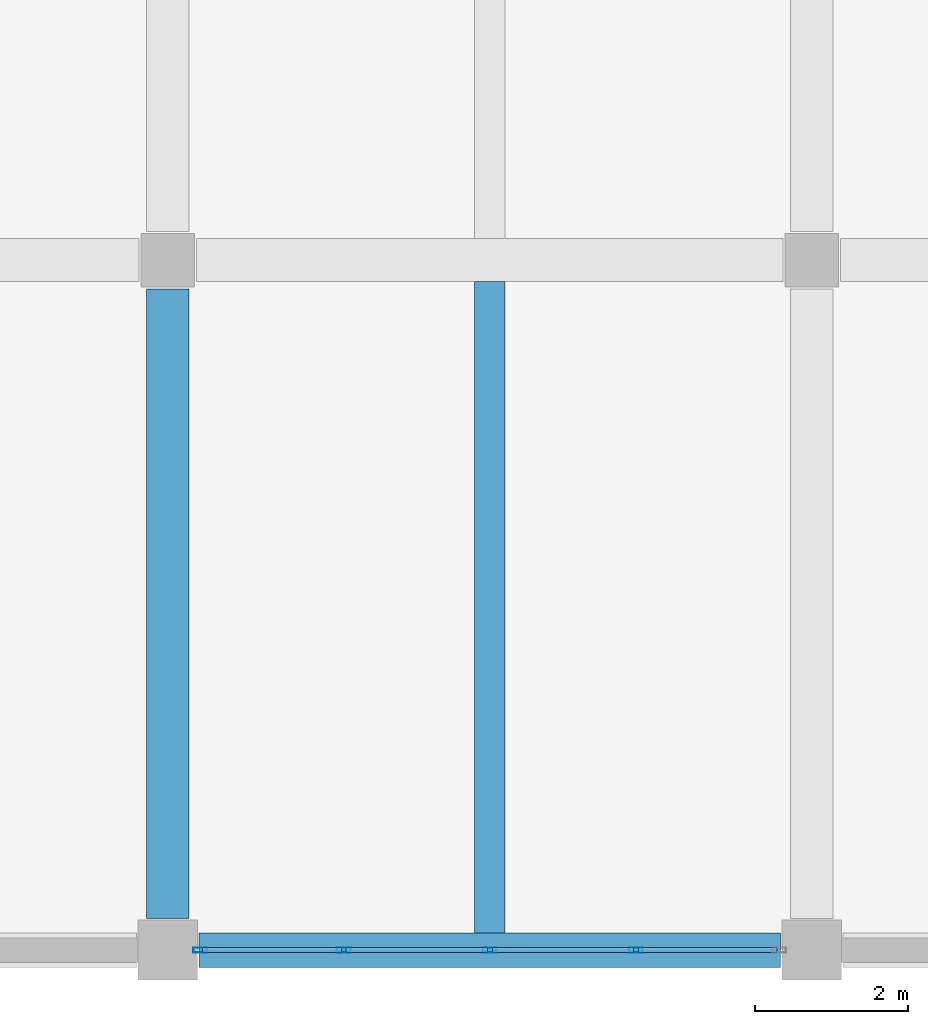
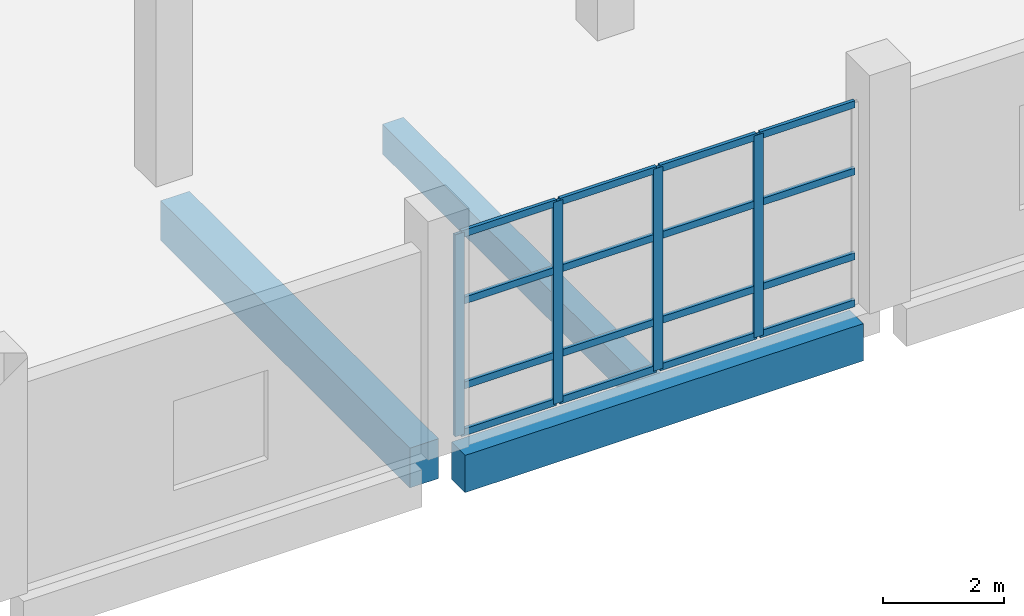
# One storey, part 4 of 91: 20 members, 3 beams, 1 element without a shape of its own.
"""IFC4 building model written with IfcOpenShell, lengths in metres."""

from ifc_helpers import new_model, si_unit, direction, frame, origin, origin_2d, place, context, subcontext, project, spatial, rectangle, hollow_rectangle, extrude, material, material_profile, profile_set, type_object, element, aggregate, save


model = new_model("IFC4")

# Units and contexts
model_context = context("Model", 3, precision=1e-05, world=origin(), true_north=direction((0.0, 1.0)))
body_context = subcontext(model_context, "Body", "Model", "MODEL_VIEW")
ifc_project = project(units=[si_unit("LENGTHUNIT", "METRE"), si_unit("AREAUNIT", "SQUARE_METRE"), si_unit("VOLUMEUNIT", "CUBIC_METRE"), si_unit("PLANEANGLEUNIT", "RADIAN"), si_unit("MASSUNIT", "GRAM", prefix="KILO")], contexts=[model_context])

# Site, building, storey
site_placement = place(None, origin())
site = spatial("IfcSite", under=ifc_project, at=site_placement, CompositionType="ELEMENT")
building_placement = place(site_placement, origin())
building = spatial("IfcBuilding", under=site, at=building_placement, Name="Pellamere Symphony Hall", CompositionType="ELEMENT")
storey_placement = place(building_placement, frame((0.0, 0.0, 5.39990234375)))
storey = spatial("IfcBuildingStorey", under=building, at=storey_placement, Name="L01", CompositionType="ELEMENT", Elevation=5.39990234375)

# Curtain wall, members
ifc_material_1 = material(Name="Thermally Broken Anodised Aluminium 6063-T6 Curtain Wall", Category="aluminium")
curtain_wall_type = type_object("IfcCurtainWallType", Name="Curtain Wall CW-04 (Chamber Music Lobby Curtain Wall)", PredefinedType="NOTDEFINED", material=ifc_material_1)
curtain_wall_placement = place(storey_placement, origin())
curtain_wall = element("IfcCurtainWall", 1, at=curtain_wall_placement, inside=storey, type_object=curtain_wall_type, Name="Chamber Lobby South Curtain Wall (L01 Bay 1)", PredefinedType="NOTDEFINED")
ifc_material_2 = material(Name="Anodised Architectural Aluminium 6063-T6", Category="aluminium")
ifc_material_profile_1 = material_profile(ifc_material_2, hollow_rectangle(XDim=0.06494140625, YDim=0.179931640625, WallThickness=0.00390625, at=origin_2d()), Name="ALU-M65X180X4")
ifc_profile_set_1 = profile_set([ifc_material_profile_1], Name="Anodised Architectural Aluminium 6063-T6")
member_type_1 = type_object("IfcMemberType", Name="Curtain Wall Mullion ML-02 ALU-M65X180X4", PredefinedType="MULLION", material=ifc_profile_set_1)
member_1_placement = place(storey_placement, frame((8.822509765625, 0.0, 0.0), z_axis=(0.0, 0.0, 1.0), x_axis=(0.0, 1.0, 0.0)))
member_1 = element("IfcMember", 2, at=member_1_placement, type_object=member_type_1, Name="CW4-114 crystal mullion 1", PredefinedType="MULLION", context=body_context, shape_type="SweptSolid", body=[
    extrude(hollow_rectangle(XDim=0.06494140625, YDim=0.179931640625, WallThickness=0.00390625, at=origin_2d()), origin(), (0.0, 0.0, 1.0), 4.064208984375),
])
member_2_placement = place(storey_placement, frame((10.695068359375, 0.0, 0.0), z_axis=(0.0, 0.0, 1.0), x_axis=(0.0, 1.0, 0.0)))
member_2 = element("IfcMember", 3, at=member_2_placement, type_object=member_type_1, Name="CW4-114 crystal mullion 2", PredefinedType="MULLION", context=body_context, shape_type="SweptSolid", body=[
    extrude(hollow_rectangle(XDim=0.06494140625, YDim=0.179931640625, WallThickness=0.00390625, at=origin_2d()), origin(), (0.0, 0.0, 1.0), 4.064208984375),
])
member_3_placement = place(storey_placement, frame((12.60009765625, 0.0, 0.0), z_axis=(0.0, 0.0, 1.0), x_axis=(0.0, 1.0, 0.0)))
member_3 = element("IfcMember", 4, at=member_3_placement, type_object=member_type_1, Name="CW4-114 crystal mullion 3", PredefinedType="MULLION", context=body_context, shape_type="SweptSolid", body=[
    extrude(hollow_rectangle(XDim=0.06494140625, YDim=0.179931640625, WallThickness=0.00390625, at=origin_2d()), origin(), (0.0, 0.0, 1.0), 4.064208984375),
])
member_4_placement = place(storey_placement, frame((14.5048828125, 0.0, 0.0), z_axis=(0.0, 0.0, 1.0), x_axis=(0.0, 1.0, 0.0)))
member_4 = element("IfcMember", 5, at=member_4_placement, type_object=member_type_1, Name="CW4-114 crystal mullion 4", PredefinedType="MULLION", context=body_context, shape_type="SweptSolid", body=[
    extrude(hollow_rectangle(XDim=0.06494140625, YDim=0.179931640625, WallThickness=0.00390625, at=origin_2d()), origin(), (0.0, 0.0, 1.0), 4.064208984375),
])
ifc_material_profile_2 = material_profile(ifc_material_2, hollow_rectangle(XDim=0.06494140625, YDim=0.139892578125, WallThickness=0.00390625, at=origin_2d()), Name="ALU-T65X140X4")
ifc_profile_set_2 = profile_set([ifc_material_profile_2], Name="Anodised Architectural Aluminium 6063-T6")
member_type_2 = type_object("IfcMemberType", Name="Curtain Wall Transom TR-02 ALU-T65X140X4", PredefinedType="USERDEFINED", material=ifc_profile_set_2)
member_5_placement = place(storey_placement, frame((8.85498046875, 0.0, 0.03271484375), z_axis=(1.0, 0.0, 0.0), x_axis=(0.0, 1.0, 0.0)))
member_5 = element("IfcMember", 6, at=member_5_placement, type_object=member_type_2, Name="CW4-114 crystal transom 1.1", ObjectType="TRANSOM", PredefinedType="USERDEFINED", context=body_context, shape_type="SweptSolid", body=[
    extrude(hollow_rectangle(XDim=0.06494140625, YDim=0.139892578125, WallThickness=0.00390625, at=origin_2d()), origin(), (0.0, 0.0, 1.0), 1.8076171875),
])
member_6_placement = place(storey_placement, frame((8.85498046875, 0.0, 0.975341796875), z_axis=(1.0, 0.0, 0.0), x_axis=(0.0, 1.0, 0.0)))
member_6 = element("IfcMember", 7, at=member_6_placement, type_object=member_type_2, Name="CW4-114 crystal transom 1.2", ObjectType="TRANSOM", PredefinedType="USERDEFINED", context=body_context, shape_type="SweptSolid", body=[
    extrude(hollow_rectangle(XDim=0.06494140625, YDim=0.139892578125, WallThickness=0.00390625, at=origin_2d()), origin(), (0.0, 0.0, 1.0), 1.8076171875),
])
member_7_placement = place(storey_placement, frame((8.85498046875, 0.0, 2.682373046875), z_axis=(1.0, 0.0, 0.0), x_axis=(0.0, 1.0, 0.0)))
member_7 = element("IfcMember", 8, at=member_7_placement, type_object=member_type_2, Name="CW4-114 crystal transom 1.3", ObjectType="TRANSOM", PredefinedType="USERDEFINED", context=body_context, shape_type="SweptSolid", body=[
    extrude(hollow_rectangle(XDim=0.06494140625, YDim=0.139892578125, WallThickness=0.00390625, at=origin_2d()), origin(), (0.0, 0.0, 1.0), 1.8076171875),
])
member_8_placement = place(storey_placement, frame((8.85498046875, 0.0, 4.031494140625), z_axis=(1.0, 0.0, 0.0), x_axis=(0.0, 1.0, 0.0)))
member_8 = element("IfcMember", 9, at=member_8_placement, type_object=member_type_2, Name="CW4-114 crystal transom 1.4", ObjectType="TRANSOM", PredefinedType="USERDEFINED", context=body_context, shape_type="SweptSolid", body=[
    extrude(hollow_rectangle(XDim=0.06494140625, YDim=0.139892578125, WallThickness=0.00390625, at=origin_2d()), origin(), (0.0, 0.0, 1.0), 1.8076171875),
])
member_9_placement = place(storey_placement, frame((10.7275390625, 0.0, 0.03271484375), z_axis=(1.0, 0.0, 0.0), x_axis=(0.0, 1.0, 0.0)))
member_9 = element("IfcMember", 10, at=member_9_placement, type_object=member_type_2, Name="CW4-114 crystal transom 2.1", ObjectType="TRANSOM", PredefinedType="USERDEFINED", context=body_context, shape_type="SweptSolid", body=[
    extrude(hollow_rectangle(XDim=0.06494140625, YDim=0.139892578125, WallThickness=0.00390625, at=origin_2d()), origin(), (0.0, 0.0, 1.0), 1.83984375),
])
member_10_placement = place(storey_placement, frame((10.7275390625, 0.0, 0.975341796875), z_axis=(1.0, 0.0, 0.0), x_axis=(0.0, 1.0, 0.0)))
member_10 = element("IfcMember", 11, at=member_10_placement, type_object=member_type_2, Name="CW4-114 crystal transom 2.2", ObjectType="TRANSOM", PredefinedType="USERDEFINED", context=body_context, shape_type="SweptSolid", body=[
    extrude(hollow_rectangle(XDim=0.06494140625, YDim=0.139892578125, WallThickness=0.00390625, at=origin_2d()), origin(), (0.0, 0.0, 1.0), 1.83984375),
])
member_11_placement = place(storey_placement, frame((10.7275390625, 0.0, 2.682373046875), z_axis=(1.0, 0.0, 0.0), x_axis=(0.0, 1.0, 0.0)))
member_11 = element("IfcMember", 12, at=member_11_placement, type_object=member_type_2, Name="CW4-114 crystal transom 2.3", ObjectType="TRANSOM", PredefinedType="USERDEFINED", context=body_context, shape_type="SweptSolid", body=[
    extrude(hollow_rectangle(XDim=0.06494140625, YDim=0.139892578125, WallThickness=0.00390625, at=origin_2d()), origin(), (0.0, 0.0, 1.0), 1.83984375),
])
member_12_placement = place(storey_placement, frame((10.7275390625, 0.0, 4.031494140625), z_axis=(1.0, 0.0, 0.0), x_axis=(0.0, 1.0, 0.0)))
member_12 = element("IfcMember", 13, at=member_12_placement, type_object=member_type_2, Name="CW4-114 crystal transom 2.4", ObjectType="TRANSOM", PredefinedType="USERDEFINED", context=body_context, shape_type="SweptSolid", body=[
    extrude(hollow_rectangle(XDim=0.06494140625, YDim=0.139892578125, WallThickness=0.00390625, at=origin_2d()), origin(), (0.0, 0.0, 1.0), 1.83984375),
])
member_13_placement = place(storey_placement, frame((12.632568359375, 0.0, 0.03271484375), z_axis=(1.0, 0.0, 0.0), x_axis=(0.0, 1.0, 0.0)))
member_13 = element("IfcMember", 14, at=member_13_placement, type_object=member_type_2, Name="CW4-114 crystal transom 3.1", ObjectType="TRANSOM", PredefinedType="USERDEFINED", context=body_context, shape_type="SweptSolid", body=[
    extrude(hollow_rectangle(XDim=0.06494140625, YDim=0.139892578125, WallThickness=0.00390625, at=origin_2d()), origin(), (0.0, 0.0, 1.0), 1.83984375),
])
member_14_placement = place(storey_placement, frame((12.632568359375, 0.0, 0.975341796875), z_axis=(1.0, 0.0, 0.0), x_axis=(0.0, 1.0, 0.0)))
member_14 = element("IfcMember", 15, at=member_14_placement, type_object=member_type_2, Name="CW4-114 crystal transom 3.2", ObjectType="TRANSOM", PredefinedType="USERDEFINED", context=body_context, shape_type="SweptSolid", body=[
    extrude(hollow_rectangle(XDim=0.06494140625, YDim=0.139892578125, WallThickness=0.00390625, at=origin_2d()), origin(), (0.0, 0.0, 1.0), 1.83984375),
])
member_15_placement = place(storey_placement, frame((12.632568359375, 0.0, 2.682373046875), z_axis=(1.0, 0.0, 0.0), x_axis=(0.0, 1.0, 0.0)))
member_15 = element("IfcMember", 16, at=member_15_placement, type_object=member_type_2, Name="CW4-114 crystal transom 3.3", ObjectType="TRANSOM", PredefinedType="USERDEFINED", context=body_context, shape_type="SweptSolid", body=[
    extrude(hollow_rectangle(XDim=0.06494140625, YDim=0.139892578125, WallThickness=0.00390625, at=origin_2d()), origin(), (0.0, 0.0, 1.0), 1.83984375),
])
member_16_placement = place(storey_placement, frame((12.632568359375, 0.0, 4.031494140625), z_axis=(1.0, 0.0, 0.0), x_axis=(0.0, 1.0, 0.0)))
member_16 = element("IfcMember", 17, at=member_16_placement, type_object=member_type_2, Name="CW4-114 crystal transom 3.4", ObjectType="TRANSOM", PredefinedType="USERDEFINED", context=body_context, shape_type="SweptSolid", body=[
    extrude(hollow_rectangle(XDim=0.06494140625, YDim=0.139892578125, WallThickness=0.00390625, at=origin_2d()), origin(), (0.0, 0.0, 1.0), 1.83984375),
])
member_17_placement = place(storey_placement, frame((14.53759765625, 0.0, 0.03271484375), z_axis=(1.0, 0.0, 0.0), x_axis=(0.0, 1.0, 0.0)))
member_17 = element("IfcMember", 18, at=member_17_placement, type_object=member_type_2, Name="CW4-114 crystal transom 4.1", ObjectType="TRANSOM", PredefinedType="USERDEFINED", context=body_context, shape_type="SweptSolid", body=[
    extrude(hollow_rectangle(XDim=0.06494140625, YDim=0.139892578125, WallThickness=0.00390625, at=origin_2d()), origin(), (0.0, 0.0, 1.0), 1.807373046875),
])
member_18_placement = place(storey_placement, frame((14.53759765625, 0.0, 0.975341796875), z_axis=(1.0, 0.0, 0.0), x_axis=(0.0, 1.0, 0.0)))
member_18 = element("IfcMember", 19, at=member_18_placement, type_object=member_type_2, Name="CW4-114 crystal transom 4.2", ObjectType="TRANSOM", PredefinedType="USERDEFINED", context=body_context, shape_type="SweptSolid", body=[
    extrude(hollow_rectangle(XDim=0.06494140625, YDim=0.139892578125, WallThickness=0.00390625, at=origin_2d()), origin(), (0.0, 0.0, 1.0), 1.807373046875),
])
member_19_placement = place(storey_placement, frame((14.53759765625, 0.0, 2.682373046875), z_axis=(1.0, 0.0, 0.0), x_axis=(0.0, 1.0, 0.0)))
member_19 = element("IfcMember", 20, at=member_19_placement, type_object=member_type_2, Name="CW4-114 crystal transom 4.3", ObjectType="TRANSOM", PredefinedType="USERDEFINED", context=body_context, shape_type="SweptSolid", body=[
    extrude(hollow_rectangle(XDim=0.06494140625, YDim=0.139892578125, WallThickness=0.00390625, at=origin_2d()), origin(), (0.0, 0.0, 1.0), 1.807373046875),
])
member_20_placement = place(storey_placement, frame((14.53759765625, 0.0, 4.031494140625), z_axis=(1.0, 0.0, 0.0), x_axis=(0.0, 1.0, 0.0)))
member_20 = element("IfcMember", 21, at=member_20_placement, type_object=member_type_2, Name="CW4-114 crystal transom 4.4", ObjectType="TRANSOM", PredefinedType="USERDEFINED", context=body_context, shape_type="SweptSolid", body=[
    extrude(hollow_rectangle(XDim=0.06494140625, YDim=0.139892578125, WallThickness=0.00390625, at=origin_2d()), origin(), (0.0, 0.0, 1.0), 1.807373046875),
])
aggregate(curtain_wall, [member_1, member_2, member_3, member_4, member_5, member_6, member_7, member_8, member_9, member_10, member_11, member_12, member_13, member_14, member_15, member_16, member_17, member_18, member_19, member_20])

# Beams
ifc_material_3 = material(Name="Concrete 40 MPa", Category="concrete")
ifc_material_profile_3 = material_profile(ifc_material_3, rectangle(XDim=0.550048828125, YDim=0.800048828125, at=origin_2d()), Name="RC 550x800")
ifc_profile_set_3 = profile_set([ifc_material_profile_3], Name="Concrete 40 MPa")
beam_type_1 = type_object("IfcBeamType", Name="RC CB-05 550x800", PredefinedType="BEAM", material=ifc_profile_set_3)
beam_1_placement = place(storey_placement, frame((8.39990234375, 0.409912109375, -0.679931640625), z_axis=(0.0, 1.0, 0.0), x_axis=(-1.0, 0.0, 0.0)))
element("IfcBeam", 22, at=beam_1_placement, inside=storey, type_object=beam_type_1, Name="Girder CB-05-Y0719 (L01)", PredefinedType="BEAM", context=body_context, shape_type="SweptSolid", body=[
    extrude(rectangle(XDim=0.550048828125, YDim=0.800048828125, at=origin_2d()), origin(), (0.0, 0.0, 1.0), 8.215087890625),
])
ifc_material_profile_4 = material_profile(ifc_material_3, rectangle(XDim=0.39990234375, YDim=0.60009765625, at=origin_2d()), Name="RC 400x600")
ifc_profile_set_4 = profile_set([ifc_material_profile_4], Name="Concrete 40 MPa")
beam_type_2 = type_object("IfcBeamType", Name="RC CB-09 400x600", PredefinedType="BEAM", material=ifc_profile_set_4)
beam_2_placement = place(storey_placement, frame((12.60009765625, 0.22509765625, -0.594970703125), z_axis=(0.0, 1.0, 0.0), x_axis=(-1.0, 0.0, 0.0)))
element("IfcBeam", 23, at=beam_2_placement, inside=storey, type_object=beam_type_2, Name="Secondary Floor Beam CB-09-M0100 (L01)", PredefinedType="BEAM", context=body_context, shape_type="SweptSolid", body=[
    extrude(rectangle(XDim=0.39990234375, YDim=0.60009765625, at=origin_2d()), origin(), (0.0, 0.0, 1.0), 8.494873046875),
])
ifc_material_profile_5 = material_profile(ifc_material_3, rectangle(XDim=0.449951171875, YDim=0.75, at=origin_2d()), Name="RC 450x750")
ifc_profile_set_5 = profile_set([ifc_material_profile_5], Name="Concrete 40 MPa")
beam_type_3 = type_object("IfcBeamType", Name="RC CB-12 450x750", PredefinedType="SPANDREL", material=ifc_profile_set_5)
beam_3_placement = place(storey_placement, frame((8.81005859375, 0.0, -0.65478515625), z_axis=(1.0, 0.0, 0.0), x_axis=(0.0, 1.0, 0.0)))
element("IfcBeam", 24, at=beam_3_placement, inside=storey, type_object=beam_type_3, Name="Girder CB-12-X0534 (L01)", PredefinedType="SPANDREL", context=body_context, shape_type="SweptSolid", body=[
    extrude(rectangle(XDim=0.449951171875, YDim=0.75, at=origin_2d()), origin(), (0.0, 0.0, 1.0), 7.579833984375),
])

save(model, "model.ifc")
